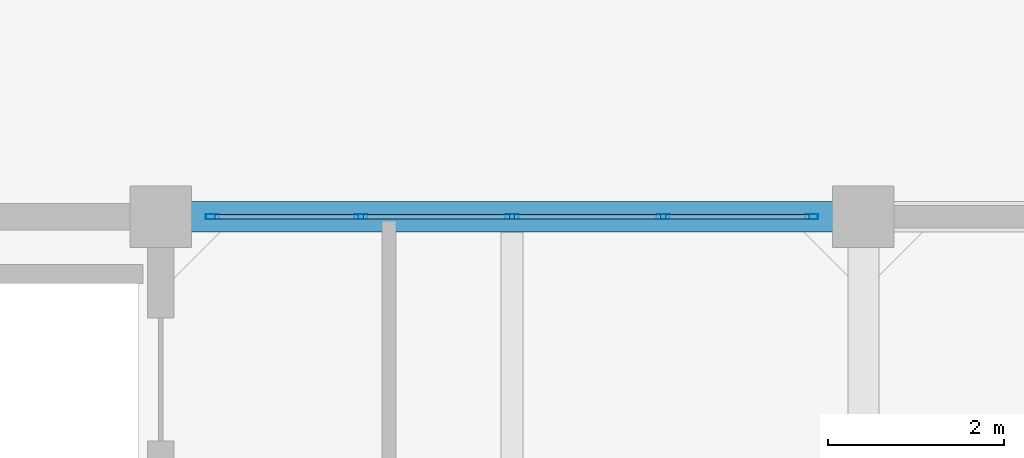
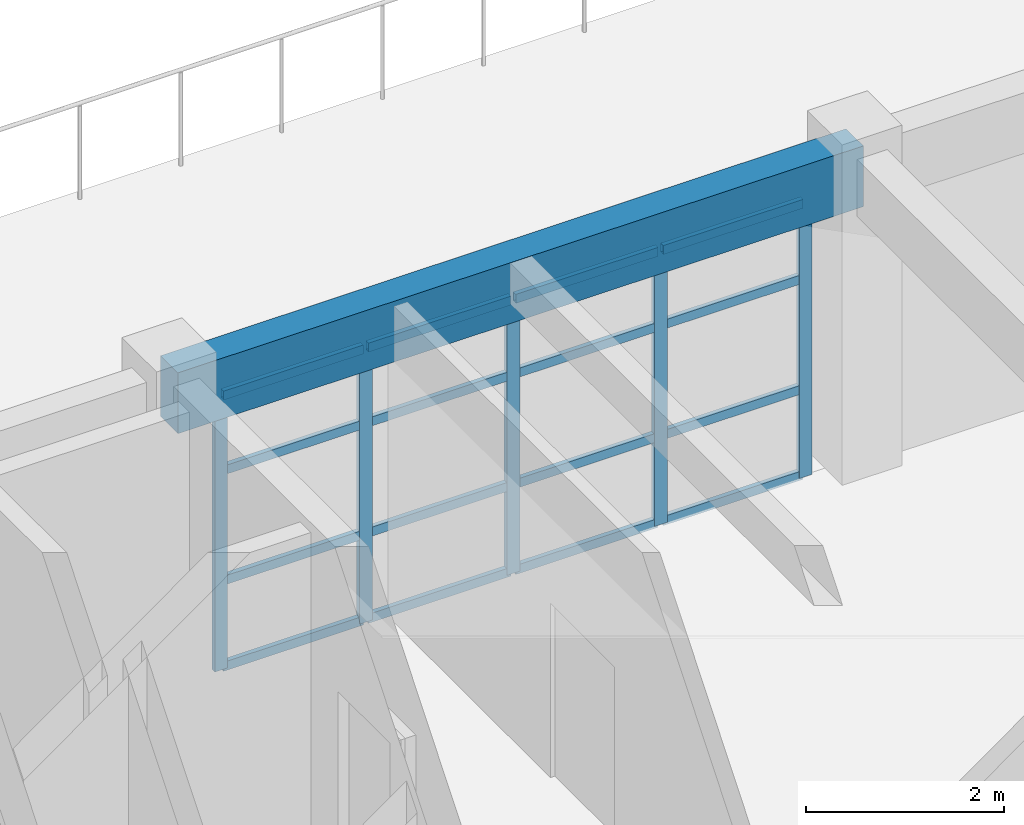
# One storey, part 12 of 19: 21 members, 1 beam, 1 element without a shape of its own.
"""IFC4 building model written with IfcOpenShell, lengths in metres."""

from ifc_helpers import new_model, si_unit, direction, frame, origin, origin_2d, place, context, subcontext, project, spatial, rectangle, hollow_rectangle, extrude, material, layer, layer_set, material_profile, profile_set, type_object, element, aggregate, save


model = new_model("IFC4")

# Units and contexts
model_context = context("Model", 3, precision=1e-05, world=origin(), true_north=direction((0.0, 1.0)))
body_context = subcontext(model_context, "Body", "Model", "MODEL_VIEW")
ifc_project = project(units=[si_unit("LENGTHUNIT", "METRE"), si_unit("AREAUNIT", "SQUARE_METRE"), si_unit("VOLUMEUNIT", "CUBIC_METRE"), si_unit("PLANEANGLEUNIT", "RADIAN"), si_unit("MASSUNIT", "GRAM", prefix="KILO")], contexts=[model_context])

# Site, building, storey
site_placement = place(None, origin())
site = spatial("IfcSite", under=ifc_project, at=site_placement, CompositionType="ELEMENT")
building_placement = place(site_placement, origin())
building = spatial("IfcBuilding", under=site, at=building_placement, Name="Canggui Botanical Conservatory", CompositionType="ELEMENT")
storey_placement = place(building_placement, frame((0.0, 0.0, 48.60009765625)))
storey = spatial("IfcBuildingStorey", under=building, at=storey_placement, Name="L12", CompositionType="ELEMENT", Elevation=48.60009765625)

# Beam
ifc_material_1 = material(Name="Concrete C35", Category="concrete")
ifc_material_profile_1 = material_profile(ifc_material_1, rectangle(XDim=0.35009765625, YDim=0.75, at=origin_2d()), Name="RB 350x750")
ifc_profile_set_1 = profile_set([ifc_material_profile_1], Name="Concrete C35")
beam_type = type_object("IfcBeamType", Name="BM-KL16", PredefinedType="BEAM", material=ifc_profile_set_1)
beam_placement = place(storey_placement, frame((162.0, 66.0, 3.5849609375), z_axis=(1.0, 0.0, 0.0), x_axis=(0.0, 1.0, 0.0)))
element("IfcBeam", 1, at=beam_placement, inside=storey, type_object=beam_type, Name="Frame Girder L12 Y66-3", PredefinedType="BEAM", context=body_context, shape_type="SweptSolid", body=[
    extrude(rectangle(XDim=0.35009765625, YDim=0.75, at=origin_2d()), origin(), (0.0, 0.0, 1.0), 8.0),
])

# Curtain wall, members
ifc_material_2 = material(Name="Thermally Broken Aluminium", Category="aluminium")
ifc_layer = layer(ifc_material_2, 0.14990234375, Name="Thermally Broken Aluminium", Category="aluminium")
ifc_layer_set = layer_set([ifc_layer], Name="Thermally Broken Aluminium")
curtain_wall_type = type_object("IfcCurtainWallType", Name="CW-UNIT-C", PredefinedType="USERDEFINED", material=ifc_layer_set)
curtain_wall_placement = place(storey_placement, origin())
curtain_wall = element("IfcCurtainWall", 2, at=curtain_wall_placement, inside=storey, type_object=curtain_wall_type, Name="Facade Curtain Wall CW-TWR-L12-10", ObjectType="UNITISED CURTAIN WALL", PredefinedType="USERDEFINED")
ifc_material_profile_2 = material_profile(ifc_material_2, hollow_rectangle(XDim=0.06005859375, YDim=0.14990234375, WallThickness=0.00341796875, at=origin_2d()), Name="CWM 60x150x3.5")
ifc_profile_set_2 = profile_set([ifc_material_profile_2], Name="Thermally Broken Aluminium")
member_type_1 = type_object("IfcMemberType", Name="CWM-03", PredefinedType="MULLION", material=ifc_profile_set_2)
member_1_placement = place(storey_placement, frame((162.590087890625, 66.0, 0.0), z_axis=(0.0, 0.0, 1.0), x_axis=(0.0, 1.0, 0.0)))
member_1 = element("IfcMember", 3, at=member_1_placement, type_object=member_type_1, Name="CW-03 mullion 1", PredefinedType="MULLION", context=body_context, shape_type="SweptSolid", body=[
    extrude(hollow_rectangle(XDim=0.06005859375, YDim=0.14990234375, WallThickness=0.00341796875, at=origin_2d()), origin(), (0.0, 0.0, 1.0), 3.39990234375),
])
member_2_placement = place(storey_placement, frame((164.280029296875, 66.0, 0.0), z_axis=(0.0, 0.0, 1.0), x_axis=(0.0, 1.0, 0.0)))
member_2 = element("IfcMember", 4, at=member_2_placement, type_object=member_type_1, Name="CW-03 mullion 2", PredefinedType="MULLION", context=body_context, shape_type="SweptSolid", body=[
    extrude(hollow_rectangle(XDim=0.06005859375, YDim=0.14990234375, WallThickness=0.00341796875, at=origin_2d()), origin(), (0.0, 0.0, 1.0), 3.39990234375),
])
member_3_placement = place(storey_placement, frame((166.0, 66.0, 0.0), z_axis=(0.0, 0.0, 1.0), x_axis=(0.0, 1.0, 0.0)))
member_3 = element("IfcMember", 5, at=member_3_placement, type_object=member_type_1, Name="CW-03 mullion 3", PredefinedType="MULLION", context=body_context, shape_type="SweptSolid", body=[
    extrude(hollow_rectangle(XDim=0.06005859375, YDim=0.14990234375, WallThickness=0.00341796875, at=origin_2d()), origin(), (0.0, 0.0, 1.0), 3.39990234375),
])
member_4_placement = place(storey_placement, frame((167.719970703125, 66.0, 0.0), z_axis=(0.0, 0.0, 1.0), x_axis=(0.0, 1.0, 0.0)))
member_4 = element("IfcMember", 6, at=member_4_placement, type_object=member_type_1, Name="CW-03 mullion 4", PredefinedType="MULLION", context=body_context, shape_type="SweptSolid", body=[
    extrude(hollow_rectangle(XDim=0.06005859375, YDim=0.14990234375, WallThickness=0.00341796875, at=origin_2d()), origin(), (0.0, 0.0, 1.0), 3.39990234375),
])
member_5_placement = place(storey_placement, frame((169.409912109375, 66.0, 0.0), z_axis=(0.0, 0.0, 1.0), x_axis=(0.0, 1.0, 0.0)))
member_5 = element("IfcMember", 7, at=member_5_placement, type_object=member_type_1, Name="CW-03 mullion 5", PredefinedType="MULLION", context=body_context, shape_type="SweptSolid", body=[
    extrude(hollow_rectangle(XDim=0.06005859375, YDim=0.14990234375, WallThickness=0.00341796875, at=origin_2d()), origin(), (0.0, 0.0, 1.0), 3.39990234375),
])
ifc_material_profile_3 = material_profile(ifc_material_2, hollow_rectangle(XDim=0.054931640625, YDim=0.110107421875, WallThickness=0.0029296875, at=origin_2d()), Name="CWT 55x110x3")
ifc_profile_set_3 = profile_set([ifc_material_profile_3], Name="Thermally Broken Aluminium")
member_type_2 = type_object("IfcMemberType", Name="CWT-03", PredefinedType="USERDEFINED", material=ifc_profile_set_3)
member_6_placement = place(storey_placement, frame((162.6201171875, 66.0, 0.02734375), z_axis=(1.0, 0.0, 0.0), x_axis=(0.0, 1.0, 0.0)))
member_6 = element("IfcMember", 8, at=member_6_placement, type_object=member_type_2, Name="CW-03 transom 1.1", ObjectType="TRANSOM", PredefinedType="USERDEFINED", context=body_context, shape_type="SweptSolid", body=[
    extrude(hollow_rectangle(XDim=0.054931640625, YDim=0.110107421875, WallThickness=0.0029296875, at=origin_2d()), origin(), (0.0, 0.0, 1.0), 1.6298828125),
])
member_7_placement = place(storey_placement, frame((162.6201171875, 66.0, 1.087890625), z_axis=(1.0, 0.0, 0.0), x_axis=(0.0, 1.0, 0.0)))
member_7 = element("IfcMember", 9, at=member_7_placement, type_object=member_type_2, Name="CW-03 transom 1.2", ObjectType="TRANSOM", PredefinedType="USERDEFINED", context=body_context, shape_type="SweptSolid", body=[
    extrude(hollow_rectangle(XDim=0.054931640625, YDim=0.110107421875, WallThickness=0.0029296875, at=origin_2d()), origin(), (0.0, 0.0, 1.0), 1.6298828125),
])
member_8_placement = place(storey_placement, frame((162.6201171875, 66.0, 2.447998046875), z_axis=(1.0, 0.0, 0.0), x_axis=(0.0, 1.0, 0.0)))
member_8 = element("IfcMember", 10, at=member_8_placement, type_object=member_type_2, Name="CW-03 transom 1.3", ObjectType="TRANSOM", PredefinedType="USERDEFINED", context=body_context, shape_type="SweptSolid", body=[
    extrude(hollow_rectangle(XDim=0.054931640625, YDim=0.110107421875, WallThickness=0.0029296875, at=origin_2d()), origin(), (0.0, 0.0, 1.0), 1.6298828125),
])
member_9_placement = place(storey_placement, frame((162.6201171875, 66.0, 3.372314453125), z_axis=(1.0, 0.0, 0.0), x_axis=(0.0, 1.0, 0.0)))
member_9 = element("IfcMember", 11, at=member_9_placement, type_object=member_type_2, Name="CW-03 transom 1.4", ObjectType="TRANSOM", PredefinedType="USERDEFINED", context=body_context, shape_type="SweptSolid", body=[
    extrude(hollow_rectangle(XDim=0.054931640625, YDim=0.110107421875, WallThickness=0.0029296875, at=origin_2d()), origin(), (0.0, 0.0, 1.0), 1.6298828125),
])
member_10_placement = place(storey_placement, frame((164.31005859375, 66.0, 0.02734375), z_axis=(1.0, 0.0, 0.0), x_axis=(0.0, 1.0, 0.0)))
member_10 = element("IfcMember", 12, at=member_10_placement, type_object=member_type_2, Name="CW-03 transom 2.1", ObjectType="TRANSOM", PredefinedType="USERDEFINED", context=body_context, shape_type="SweptSolid", body=[
    extrude(hollow_rectangle(XDim=0.054931640625, YDim=0.110107421875, WallThickness=0.0029296875, at=origin_2d()), origin(), (0.0, 0.0, 1.0), 1.659912109375),
])
member_11_placement = place(storey_placement, frame((164.31005859375, 66.0, 1.087890625), z_axis=(1.0, 0.0, 0.0), x_axis=(0.0, 1.0, 0.0)))
member_11 = element("IfcMember", 13, at=member_11_placement, type_object=member_type_2, Name="CW-03 transom 2.2", ObjectType="TRANSOM", PredefinedType="USERDEFINED", context=body_context, shape_type="SweptSolid", body=[
    extrude(hollow_rectangle(XDim=0.054931640625, YDim=0.110107421875, WallThickness=0.0029296875, at=origin_2d()), origin(), (0.0, 0.0, 1.0), 1.659912109375),
])
member_12_placement = place(storey_placement, frame((164.31005859375, 66.0, 2.447998046875), z_axis=(1.0, 0.0, 0.0), x_axis=(0.0, 1.0, 0.0)))
member_12 = element("IfcMember", 14, at=member_12_placement, type_object=member_type_2, Name="CW-03 transom 2.3", ObjectType="TRANSOM", PredefinedType="USERDEFINED", context=body_context, shape_type="SweptSolid", body=[
    extrude(hollow_rectangle(XDim=0.054931640625, YDim=0.110107421875, WallThickness=0.0029296875, at=origin_2d()), origin(), (0.0, 0.0, 1.0), 1.659912109375),
])
member_13_placement = place(storey_placement, frame((164.31005859375, 66.0, 3.372314453125), z_axis=(1.0, 0.0, 0.0), x_axis=(0.0, 1.0, 0.0)))
member_13 = element("IfcMember", 15, at=member_13_placement, type_object=member_type_2, Name="CW-03 transom 2.4", ObjectType="TRANSOM", PredefinedType="USERDEFINED", context=body_context, shape_type="SweptSolid", body=[
    extrude(hollow_rectangle(XDim=0.054931640625, YDim=0.110107421875, WallThickness=0.0029296875, at=origin_2d()), origin(), (0.0, 0.0, 1.0), 1.659912109375),
])
member_14_placement = place(storey_placement, frame((166.030029296875, 66.0, 0.02734375), z_axis=(1.0, 0.0, 0.0), x_axis=(0.0, 1.0, 0.0)))
member_14 = element("IfcMember", 16, at=member_14_placement, type_object=member_type_2, Name="CW-03 transom 3.1", ObjectType="TRANSOM", PredefinedType="USERDEFINED", context=body_context, shape_type="SweptSolid", body=[
    extrude(hollow_rectangle(XDim=0.054931640625, YDim=0.110107421875, WallThickness=0.0029296875, at=origin_2d()), origin(), (0.0, 0.0, 1.0), 1.659912109375),
])
member_15_placement = place(storey_placement, frame((166.030029296875, 66.0, 1.087890625), z_axis=(1.0, 0.0, 0.0), x_axis=(0.0, 1.0, 0.0)))
member_15 = element("IfcMember", 17, at=member_15_placement, type_object=member_type_2, Name="CW-03 transom 3.2", ObjectType="TRANSOM", PredefinedType="USERDEFINED", context=body_context, shape_type="SweptSolid", body=[
    extrude(hollow_rectangle(XDim=0.054931640625, YDim=0.110107421875, WallThickness=0.0029296875, at=origin_2d()), origin(), (0.0, 0.0, 1.0), 1.659912109375),
])
member_16_placement = place(storey_placement, frame((166.030029296875, 66.0, 2.447998046875), z_axis=(1.0, 0.0, 0.0), x_axis=(0.0, 1.0, 0.0)))
member_16 = element("IfcMember", 18, at=member_16_placement, type_object=member_type_2, Name="CW-03 transom 3.3", ObjectType="TRANSOM", PredefinedType="USERDEFINED", context=body_context, shape_type="SweptSolid", body=[
    extrude(hollow_rectangle(XDim=0.054931640625, YDim=0.110107421875, WallThickness=0.0029296875, at=origin_2d()), origin(), (0.0, 0.0, 1.0), 1.659912109375),
])
member_17_placement = place(storey_placement, frame((166.030029296875, 66.0, 3.372314453125), z_axis=(1.0, 0.0, 0.0), x_axis=(0.0, 1.0, 0.0)))
member_17 = element("IfcMember", 19, at=member_17_placement, type_object=member_type_2, Name="CW-03 transom 3.4", ObjectType="TRANSOM", PredefinedType="USERDEFINED", context=body_context, shape_type="SweptSolid", body=[
    extrude(hollow_rectangle(XDim=0.054931640625, YDim=0.110107421875, WallThickness=0.0029296875, at=origin_2d()), origin(), (0.0, 0.0, 1.0), 1.659912109375),
])
member_18_placement = place(storey_placement, frame((167.75, 66.0, 0.02734375), z_axis=(1.0, 0.0, 0.0), x_axis=(0.0, 1.0, 0.0)))
member_18 = element("IfcMember", 20, at=member_18_placement, type_object=member_type_2, Name="CW-03 transom 4.1", ObjectType="TRANSOM", PredefinedType="USERDEFINED", context=body_context, shape_type="SweptSolid", body=[
    extrude(hollow_rectangle(XDim=0.054931640625, YDim=0.110107421875, WallThickness=0.0029296875, at=origin_2d()), origin(), (0.0, 0.0, 1.0), 1.6298828125),
])
member_19_placement = place(storey_placement, frame((167.75, 66.0, 1.087890625), z_axis=(1.0, 0.0, 0.0), x_axis=(0.0, 1.0, 0.0)))
member_19 = element("IfcMember", 21, at=member_19_placement, type_object=member_type_2, Name="CW-03 transom 4.2", ObjectType="TRANSOM", PredefinedType="USERDEFINED", context=body_context, shape_type="SweptSolid", body=[
    extrude(hollow_rectangle(XDim=0.054931640625, YDim=0.110107421875, WallThickness=0.0029296875, at=origin_2d()), origin(), (0.0, 0.0, 1.0), 1.6298828125),
])
member_20_placement = place(storey_placement, frame((167.75, 66.0, 2.447998046875), z_axis=(1.0, 0.0, 0.0), x_axis=(0.0, 1.0, 0.0)))
member_20 = element("IfcMember", 22, at=member_20_placement, type_object=member_type_2, Name="CW-03 transom 4.3", ObjectType="TRANSOM", PredefinedType="USERDEFINED", context=body_context, shape_type="SweptSolid", body=[
    extrude(hollow_rectangle(XDim=0.054931640625, YDim=0.110107421875, WallThickness=0.0029296875, at=origin_2d()), origin(), (0.0, 0.0, 1.0), 1.6298828125),
])
member_21_placement = place(storey_placement, frame((167.75, 66.0, 3.372314453125), z_axis=(1.0, 0.0, 0.0), x_axis=(0.0, 1.0, 0.0)))
member_21 = element("IfcMember", 23, at=member_21_placement, type_object=member_type_2, Name="CW-03 transom 4.4", ObjectType="TRANSOM", PredefinedType="USERDEFINED", context=body_context, shape_type="SweptSolid", body=[
    extrude(hollow_rectangle(XDim=0.054931640625, YDim=0.110107421875, WallThickness=0.0029296875, at=origin_2d()), origin(), (0.0, 0.0, 1.0), 1.6298828125),
])
aggregate(curtain_wall, [member_1, member_2, member_3, member_4, member_5, member_6, member_7, member_8, member_9, member_10, member_11, member_12, member_13, member_14, member_15, member_16, member_17, member_18, member_19, member_20, member_21])

save(model, "model.ifc")
